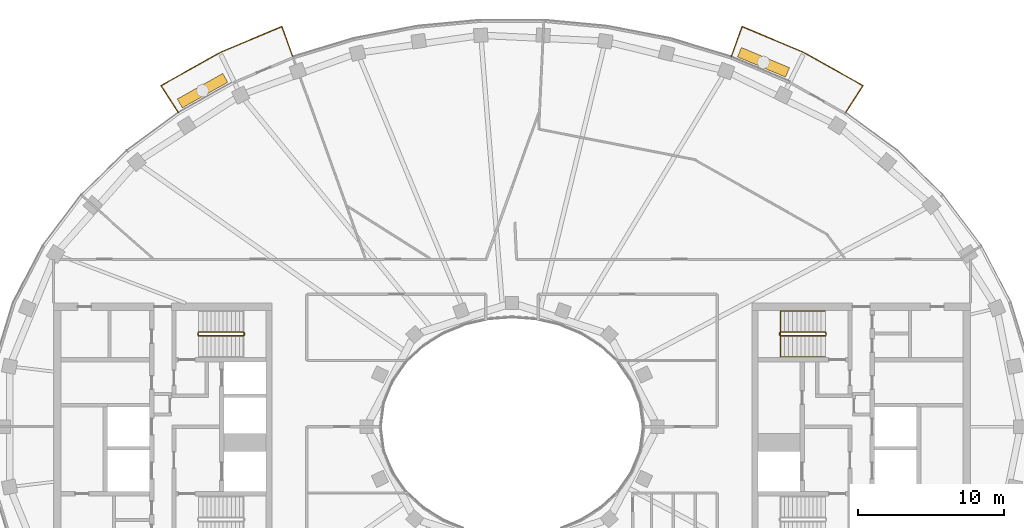
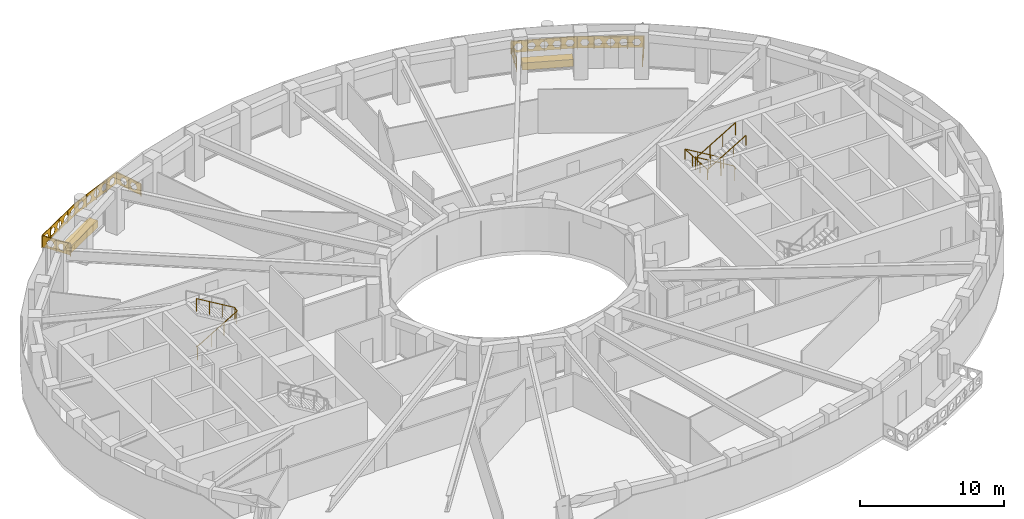
# One storey, part 14 of 15: 5 railings, 2 coverings.
"""IFC4 building model written with IfcOpenShell, lengths in metres."""

from ifc_helpers import new_model, si_unit, direction, frame, origin, origin_2d, place, context, subcontext, project, spatial, polyline, rectangle, outline, extrude, material, type_object, element, save


model = new_model("IFC4")

# Units and contexts
model_context = context("Model", 3, precision=1e-05, world=origin(), true_north=direction((0.0, 1.0)))
body_context = subcontext(model_context, "Body", "Model", "MODEL_VIEW")
ifc_project = project(units=[si_unit("LENGTHUNIT", "METRE"), si_unit("AREAUNIT", "SQUARE_METRE"), si_unit("VOLUMEUNIT", "CUBIC_METRE"), si_unit("PLANEANGLEUNIT", "RADIAN"), si_unit("MASSUNIT", "GRAM", prefix="KILO")], contexts=[model_context])

# Site, building, storey
site_placement = place(None, origin())
site = spatial("IfcSite", under=ifc_project, at=site_placement, CompositionType="ELEMENT")
building_placement = place(site_placement, origin())
building = spatial("IfcBuilding", under=site, at=building_placement, Name="Noorbagh Ring Tower", CompositionType="ELEMENT")
storey_placement = place(building_placement, frame((0.0, 0.0, 307.0)))
storey = spatial("IfcBuildingStorey", under=building, at=storey_placement, Name="L66", CompositionType="ELEMENT", Elevation=307.0)

# Railings
ifc_material_1 = material(Name="Stainless steel", Category="steel")
railing_type_1 = type_object("IfcRailingType", Name="CORE-STAIR-GUARD", PredefinedType="GUARDRAIL", material=ifc_material_1)
railing_1_placement = place(storey_placement, frame((-21.580078125, 6.300048828125, 0.0)))
element("IfcRailing", 1, at=railing_1_placement, inside=storey, type_object=railing_type_1, Name="L66 ST1 stair guard", PredefinedType="GUARDRAIL", context=body_context, shape_type="SweptSolid", body=[
    extrude(rectangle(XDim=0.048095703125, YDim=0.048095703125, at=origin_2d()), frame((0.0, 0.0, 1.076171875), z_axis=(0.0, 1.0, 0.0), x_axis=(-1.0, 0.0, 0.0)), (0.0, 0.0, 1.0), 0.14990234375),
    extrude(rectangle(XDim=0.048095703125, YDim=0.048095703125, at=origin_2d()), frame((0.0, 0.14990234375, 1.076171875), z_axis=(0.188775798145, -0.754182335027, 0.628945707965), x_axis=(0.970072785993, 0.242814311512, 0.0)), (0.0, 0.0, 1.0), 0.26513671875),
    extrude(rectangle(XDim=0.048095703125, YDim=0.048095703125, at=origin_2d()), frame((0.050048828125, -0.050048828125, 1.24267578125), z_axis=(0.859308565015, 0.0, 0.511457515432), x_axis=(0.0, 1.0, 0.0)), (0.0, 0.0, 1.0), 3.58447265625),
    extrude(rectangle(XDim=0.048095703125, YDim=0.048095703125, at=origin_2d()), frame((3.130126953125, -0.050048828125, 3.076171875), z_axis=(0.707106781187, 0.707106781187, 0.0), x_axis=(-0.707106781187, 0.707106781187, 0.0)), (0.0, 0.0, 1.0), 0.07080078125),
    extrude(rectangle(XDim=0.048095703125, YDim=0.048095703125, at=origin_2d()), frame((3.18017578125, 0.0, 3.076171875), z_axis=(0.0, 1.0, 0.0), x_axis=(-1.0, 0.0, 0.0)), (0.0, 0.0, 1.0), 0.14990234375),
    extrude(rectangle(XDim=0.048095703125, YDim=0.048095703125, at=origin_2d()), frame((3.18017578125, 0.14990234375, 3.076171875), z_axis=(-0.27628659633, 0.27628659633, 0.920506074601), x_axis=(-0.707106781187, -0.707106781187, 0.0)), (0.0, 0.0, 1.0), 0.18115234375),
    extrude(rectangle(XDim=0.048095703125, YDim=0.048095703125, at=origin_2d()), frame((3.130126953125, 0.199951171875, 3.24267578125), z_axis=(-0.859308565015, 0.0, 0.511457515432), x_axis=(0.0, -1.0, 0.0)), (0.0, 0.0, 1.0), 3.58447265625),
    extrude(rectangle(XDim=0.0419921875, YDim=0.0419921875, at=origin_2d()), origin(), (0.0, 0.0, 1.0), 1.052001953125),
    extrude(rectangle(XDim=0.0419921875, YDim=0.0419921875, at=origin_2d()), frame((1.07666015625, -0.050048828125, 0.77783203125)), (0.0, 0.0, 1.0), 1.052001953125),
    extrude(rectangle(XDim=0.0419921875, YDim=0.0419921875, at=origin_2d()), frame((2.103515625, -0.050048828125, 1.388916015625)), (0.0, 0.0, 1.0), 1.052001953125),
    extrude(rectangle(XDim=0.0419921875, YDim=0.0419921875, at=origin_2d()), frame((3.130126953125, -0.050048828125, 2.0)), (0.0, 0.0, 1.0), 1.052001953125),
    extrude(rectangle(XDim=0.0419921875, YDim=0.0419921875, at=origin_2d()), frame((3.130126953125, 0.199951171875, 2.166748046875)), (0.0, 0.0, 1.0), 1.052001953125),
    extrude(rectangle(XDim=0.0419921875, YDim=0.0419921875, at=origin_2d()), frame((2.103515625, 0.199951171875, 2.77783203125)), (0.0, 0.0, 1.0), 1.052001953125),
    extrude(rectangle(XDim=0.0419921875, YDim=0.0419921875, at=origin_2d()), frame((1.07666015625, 0.199951171875, 3.388916015625)), (0.0, 0.0, 1.0), 1.052001953125),
    extrude(rectangle(XDim=0.0419921875, YDim=0.0419921875, at=origin_2d()), frame((0.050048828125, 0.199951171875, 4.0)), (0.0, 0.0, 1.0), 1.052001953125),
])
railing_2_placement = place(storey_placement, frame((21.580078125, 6.449951171875, 0.0)))
element("IfcRailing", 2, at=railing_2_placement, inside=storey, type_object=railing_type_1, Name="L66 ST3 stair guard", PredefinedType="GUARDRAIL", context=body_context, shape_type="SweptSolid", body=[
    extrude(rectangle(XDim=0.048095703125, YDim=0.048095703125, at=origin_2d()), frame((0.0, 0.0, 1.076171875), z_axis=(0.0, -1.0, 0.0), x_axis=(1.0, 0.0, 0.0)), (0.0, 0.0, 1.0), 0.14990234375),
    extrude(rectangle(XDim=0.048095703125, YDim=0.048095703125, at=origin_2d()), frame((0.0, -0.14990234375, 1.076171875), z_axis=(-0.188775798145, 0.754182335027, 0.628945707965), x_axis=(-0.970072785993, -0.242814311512, 0.0)), (0.0, 0.0, 1.0), 0.26513671875),
    extrude(rectangle(XDim=0.048095703125, YDim=0.048095703125, at=origin_2d()), frame((-0.050048828125, 0.050048828125, 1.24267578125), z_axis=(-0.859308565015, 0.0, 0.511457515432), x_axis=(0.0, -1.0, 0.0)), (0.0, 0.0, 1.0), 3.58447265625),
    extrude(rectangle(XDim=0.048095703125, YDim=0.048095703125, at=origin_2d()), frame((-3.130126953125, 0.050048828125, 3.076171875), z_axis=(-0.707106781187, -0.707106781187, 0.0), x_axis=(0.707106781187, -0.707106781187, 0.0)), (0.0, 0.0, 1.0), 0.07080078125),
    extrude(rectangle(XDim=0.048095703125, YDim=0.048095703125, at=origin_2d()), frame((-3.18017578125, 0.0, 3.076171875), z_axis=(0.0, -1.0, 0.0), x_axis=(1.0, 0.0, 0.0)), (0.0, 0.0, 1.0), 0.14990234375),
    extrude(rectangle(XDim=0.048095703125, YDim=0.048095703125, at=origin_2d()), frame((-3.18017578125, -0.14990234375, 3.076171875), z_axis=(0.27628659633, -0.27628659633, 0.920506074601), x_axis=(0.707106781187, 0.707106781187, 0.0)), (0.0, 0.0, 1.0), 0.18115234375),
    extrude(rectangle(XDim=0.048095703125, YDim=0.048095703125, at=origin_2d()), frame((-3.130126953125, -0.199951171875, 3.24267578125), z_axis=(0.859308565015, 0.0, 0.511457515432), x_axis=(0.0, 1.0, 0.0)), (0.0, 0.0, 1.0), 3.58447265625),
    extrude(rectangle(XDim=0.0419921875, YDim=0.0419921875, at=origin_2d()), origin(), (0.0, 0.0, 1.0), 1.052001953125),
    extrude(rectangle(XDim=0.0419921875, YDim=0.0419921875, at=origin_2d()), frame((-1.07666015625, 0.050048828125, 0.77783203125)), (0.0, 0.0, 1.0), 1.052001953125),
    extrude(rectangle(XDim=0.0419921875, YDim=0.0419921875, at=origin_2d()), frame((-2.103515625, 0.050048828125, 1.388916015625)), (0.0, 0.0, 1.0), 1.052001953125),
    extrude(rectangle(XDim=0.0419921875, YDim=0.0419921875, at=origin_2d()), frame((-3.130126953125, 0.050048828125, 2.0)), (0.0, 0.0, 1.0), 1.052001953125),
    extrude(rectangle(XDim=0.0419921875, YDim=0.0419921875, at=origin_2d()), frame((-3.130126953125, -0.199951171875, 2.166748046875)), (0.0, 0.0, 1.0), 1.052001953125),
    extrude(rectangle(XDim=0.0419921875, YDim=0.0419921875, at=origin_2d()), frame((-2.103515625, -0.199951171875, 2.77783203125)), (0.0, 0.0, 1.0), 1.052001953125),
    extrude(rectangle(XDim=0.0419921875, YDim=0.0419921875, at=origin_2d()), frame((-1.07666015625, -0.199951171875, 3.388916015625)), (0.0, 0.0, 1.0), 1.052001953125),
    extrude(rectangle(XDim=0.0419921875, YDim=0.0419921875, at=origin_2d()), frame((-0.050048828125, -0.199951171875, 4.0)), (0.0, 0.0, 1.0), 1.052001953125),
])
ifc_material_2 = material(Name="Stainless steel", Category="steel")
railing_type_2 = type_object("IfcRailingType", Name="CORE-STAIR-HANDRAIL", PredefinedType="HANDRAIL", material=ifc_material_2)
railing_3_placement = place(storey_placement, frame((21.530029296875, 7.949951171875, 0.166748046875)))
element("IfcRailing", 3, at=railing_3_placement, inside=storey, type_object=railing_type_2, Name="L66 ST3 stair handrail", PredefinedType="HANDRAIL", context=body_context, shape_type="SweptSolid", body=[
    extrude(rectangle(XDim=0.048095703125, YDim=0.048095703125, at=origin_2d()), frame((0.0, 0.0, 0.8759765625), z_axis=(-0.859308565015, 0.0, 0.511457515432), x_axis=(0.0, -1.0, 0.0)), (0.0, 0.0, 1.0), 3.58447265625),
    extrude(rectangle(XDim=0.048095703125, YDim=0.048095703125, at=origin_2d()), frame((-3.080078125, 0.0, 2.708984375), z_axis=(0.0, -0.998601747152, 0.052863509014), x_axis=(1.0, 0.0, 0.0)), (0.0, 0.0, 1.0), 3.154296875),
    extrude(rectangle(XDim=0.048095703125, YDim=0.048095703125, at=origin_2d()), frame((-3.080078125, -3.14990234375, 2.8759765625), z_axis=(0.859308565015, 0.0, 0.511457515432), x_axis=(0.0, 1.0, 0.0)), (0.0, 0.0, 1.0), 3.58447265625),
    extrude(rectangle(XDim=0.0419921875, YDim=0.0419921875, at=origin_2d()), origin(), (0.0, 0.0, 1.0), 0.851806640625),
    extrude(rectangle(XDim=0.0419921875, YDim=0.0419921875, at=origin_2d()), frame((-1.026611328125, 0.0, 0.611083984375)), (0.0, 0.0, 1.0), 0.851806640625),
    extrude(rectangle(XDim=0.0419921875, YDim=0.0419921875, at=origin_2d()), frame((-2.053466796875, 0.0, 1.22216796875)), (0.0, 0.0, 1.0), 0.851806640625),
    extrude(rectangle(XDim=0.0419921875, YDim=0.0419921875, at=origin_2d()), frame((-3.080078125, 0.0, 1.833251953125)), (0.0, 0.0, 1.0), 0.851806640625),
    extrude(rectangle(XDim=0.0419921875, YDim=0.0419921875, at=origin_2d()), frame((-3.080078125, -1.050048828125, 1.888916015625)), (0.0, 0.0, 1.0), 0.851806640625),
    extrude(rectangle(XDim=0.0419921875, YDim=0.0419921875, at=origin_2d()), frame((-3.080078125, -2.099853515625, 1.9443359375)), (0.0, 0.0, 1.0), 0.851806640625),
    extrude(rectangle(XDim=0.0419921875, YDim=0.0419921875, at=origin_2d()), frame((-3.080078125, -3.14990234375, 2.0)), (0.0, 0.0, 1.0), 0.851806640625),
    extrude(rectangle(XDim=0.0419921875, YDim=0.0419921875, at=origin_2d()), frame((-2.053466796875, -3.14990234375, 2.611083984375)), (0.0, 0.0, 1.0), 0.851806640625),
    extrude(rectangle(XDim=0.0419921875, YDim=0.0419921875, at=origin_2d()), frame((-1.026611328125, -3.14990234375, 3.22216796875)), (0.0, 0.0, 1.0), 0.851806640625),
    extrude(rectangle(XDim=0.0419921875, YDim=0.0419921875, at=origin_2d()), frame((0.0, -3.14990234375, 3.833251953125)), (0.0, 0.0, 1.0), 0.851806640625),
])
ifc_material_3 = material(Name="Steel S275 black powder-coated", Category="steel")
railing_type_3 = type_object("IfcRailingType", Name="ENV-GUARD", PredefinedType="GUARDRAIL", material=ifc_material_3)
railing_4_placement = place(storey_placement, frame((22.9326171875, 21.583740234375, 0.0)))
element("IfcRailing", 4, at=railing_4_placement, inside=storey, type_object=railing_type_3, Name="Balcony guard BN02", PredefinedType="GUARDRAIL", context=body_context, shape_type="SweptSolid", body=[
    extrude(rectangle(XDim=0.048095703125, YDim=0.048095703125, at=origin_2d()), frame((0.0, 0.0, 1.076171875), z_axis=(0.542268136821, 0.840205491406, 0.0), x_axis=(-0.840205491406, 0.542268136821, 0.0)), (0.0, 0.0, 1.0), 2.204345703125),
    extrude(rectangle(XDim=0.048095703125, YDim=0.048095703125, at=origin_2d()), frame((1.1953125, 1.85205078125, 1.076171875), z_axis=(-0.872052247658, 0.489412788303, 0.0), x_axis=(-0.489412788303, -0.872052247658, 0.0)), (0.0, 0.0, 1.0), 4.646240234375),
    extrude(rectangle(XDim=0.048095703125, YDim=0.048095703125, at=origin_2d()), frame((-2.8564453125, 4.1259765625, 1.076171875), z_axis=(-0.921809087722, 0.387644174203, 0.0), x_axis=(-0.387644174203, -0.921809087722, 0.0)), (0.0, 0.0, 1.0), 4.627197265625),
    extrude(rectangle(XDim=0.048095703125, YDim=0.048095703125, at=origin_2d()), frame((-7.121826171875, 5.919677734375, 1.076171875), z_axis=(-0.338350546839, -0.941020141896, 0.0), x_axis=(0.941020141896, -0.338350546839, 0.0)), (0.0, 0.0, 1.0), 2.202880859375),
    extrude(rectangle(XDim=0.0419921875, YDim=0.0419921875, at=origin_2d()), origin(), (0.0, 0.0, 1.0), 1.052001953125),
    extrude(rectangle(XDim=0.0419921875, YDim=0.0419921875, at=origin_2d()), frame((0.59765625, 0.926025390625, 0.0)), (0.0, 0.0, 1.0), 1.052001953125),
    extrude(rectangle(XDim=0.0419921875, YDim=0.0419921875, at=origin_2d()), frame((1.1953125, 1.85205078125, 0.0)), (0.0, 0.0, 1.0), 1.052001953125),
    extrude(rectangle(XDim=0.0419921875, YDim=0.0419921875, at=origin_2d()), frame((0.182373046875, 2.42041015625, 0.0)), (0.0, 0.0, 1.0), 1.052001953125),
    extrude(rectangle(XDim=0.0419921875, YDim=0.0419921875, at=origin_2d()), frame((-0.83056640625, 2.989013671875, 0.0)), (0.0, 0.0, 1.0), 1.052001953125),
    extrude(rectangle(XDim=0.0419921875, YDim=0.0419921875, at=origin_2d()), frame((-1.843505859375, 3.5576171875, 0.0)), (0.0, 0.0, 1.0), 1.052001953125),
    extrude(rectangle(XDim=0.0419921875, YDim=0.0419921875, at=origin_2d()), frame((-2.8564453125, 4.1259765625, 0.0)), (0.0, 0.0, 1.0), 1.052001953125),
    extrude(rectangle(XDim=0.0419921875, YDim=0.0419921875, at=origin_2d()), frame((-3.9228515625, 4.574462890625, 0.0)), (0.0, 0.0, 1.0), 1.052001953125),
    extrude(rectangle(XDim=0.0419921875, YDim=0.0419921875, at=origin_2d()), frame((-4.9892578125, 5.02294921875, 0.0)), (0.0, 0.0, 1.0), 1.052001953125),
    extrude(rectangle(XDim=0.0419921875, YDim=0.0419921875, at=origin_2d()), frame((-6.055419921875, 5.47119140625, 0.0)), (0.0, 0.0, 1.0), 1.052001953125),
    extrude(rectangle(XDim=0.0419921875, YDim=0.0419921875, at=origin_2d()), frame((-7.121826171875, 5.919677734375, 0.0)), (0.0, 0.0, 1.0), 1.052001953125),
    extrude(rectangle(XDim=0.0419921875, YDim=0.0419921875, at=origin_2d()), frame((-7.49462890625, 4.88330078125, 0.0)), (0.0, 0.0, 1.0), 1.052001953125),
    extrude(rectangle(XDim=0.0419921875, YDim=0.0419921875, at=origin_2d()), frame((-7.8671875, 3.8466796875, 0.0)), (0.0, 0.0, 1.0), 1.052001953125),
    extrude(outline(polyline([(0.0, 0.10009765625), (2.204345703125, 0.10009765625), (2.204345703125, 1.031982421875), (0.0, 1.031982421875), (0.0, 0.10009765625)]), holes=[polyline([(0.962158203125, 0.56591796875), (0.80712890625, 0.83447265625), (0.4970703125, 0.83447265625), (0.342041015625, 0.56591796875), (0.4970703125, 0.297607421875), (0.80712890625, 0.297607421875), (0.962158203125, 0.56591796875)]), polyline([(1.862060546875, 0.56591796875), (1.70703125, 0.83447265625), (1.397216796875, 0.83447265625), (1.2421875, 0.56591796875), (1.397216796875, 0.297607421875), (1.70703125, 0.297607421875), (1.862060546875, 0.56591796875)])]), frame((-0.00830078125, 0.00537109375, 0.0), z_axis=(0.840205491406, -0.542268136821, 0.0), x_axis=(0.542268136821, 0.840205491406, 0.0)), (0.0, 0.0, 1.0), 0.02001953125),
    extrude(outline(polyline([(0.0, 0.10009765625), (4.646240234375, 0.10009765625), (4.646240234375, 1.031982421875), (0.0, 1.031982421875), (0.0, 0.10009765625)]), holes=[polyline([(0.8330078125, 0.56591796875), (0.67822265625, 0.83447265625), (0.3681640625, 0.83447265625), (0.213134765625, 0.56591796875), (0.3681640625, 0.297607421875), (0.67822265625, 0.297607421875), (0.8330078125, 0.56591796875)]), polyline([(1.733154296875, 0.56591796875), (1.578125, 0.83447265625), (1.26806640625, 0.83447265625), (1.113037109375, 0.56591796875), (1.26806640625, 0.297607421875), (1.578125, 0.297607421875), (1.733154296875, 0.56591796875)]), polyline([(2.633056640625, 0.56591796875), (2.47802734375, 0.83447265625), (2.168212890625, 0.83447265625), (2.01318359375, 0.56591796875), (2.168212890625, 0.297607421875), (2.47802734375, 0.297607421875), (2.633056640625, 0.56591796875)]), polyline([(3.533203125, 0.56591796875), (3.378173828125, 0.83447265625), (3.068115234375, 0.83447265625), (2.9130859375, 0.56591796875), (3.068115234375, 0.297607421875), (3.378173828125, 0.297607421875), (3.533203125, 0.56591796875)]), polyline([(4.43310546875, 0.56591796875), (4.278076171875, 0.83447265625), (3.968017578125, 0.83447265625), (3.813232421875, 0.56591796875), (3.968017578125, 0.297607421875), (4.278076171875, 0.297607421875), (4.43310546875, 0.56591796875)])]), frame((1.1904296875, 1.84326171875, 0.0), z_axis=(0.489412788303, 0.872052247658, 0.0), x_axis=(-0.872052247658, 0.489412788303, 0.0)), (0.0, 0.0, 1.0), 0.02001953125),
    extrude(outline(polyline([(0.0, 0.10009765625), (4.627197265625, 0.10009765625), (4.627197265625, 1.031982421875), (0.0, 1.031982421875), (0.0, 0.10009765625)]), holes=[polyline([(0.823486328125, 0.56591796875), (0.668701171875, 0.83447265625), (0.358642578125, 0.83447265625), (0.20361328125, 0.56591796875), (0.358642578125, 0.297607421875), (0.668701171875, 0.297607421875), (0.823486328125, 0.56591796875)]), polyline([(1.7236328125, 0.56591796875), (1.568603515625, 0.83447265625), (1.258544921875, 0.83447265625), (1.103515625, 0.56591796875), (1.258544921875, 0.297607421875), (1.568603515625, 0.297607421875), (1.7236328125, 0.56591796875)]), polyline([(2.62353515625, 0.56591796875), (2.468505859375, 0.83447265625), (2.15869140625, 0.83447265625), (2.003662109375, 0.56591796875), (2.15869140625, 0.297607421875), (2.468505859375, 0.297607421875), (2.62353515625, 0.56591796875)]), polyline([(3.523681640625, 0.56591796875), (3.36865234375, 0.83447265625), (3.05859375, 0.83447265625), (2.903564453125, 0.56591796875), (3.05859375, 0.297607421875), (3.36865234375, 0.297607421875), (3.523681640625, 0.56591796875)]), polyline([(4.423583984375, 0.56591796875), (4.2685546875, 0.83447265625), (3.95849609375, 0.83447265625), (3.8037109375, 0.56591796875), (3.95849609375, 0.297607421875), (4.2685546875, 0.297607421875), (4.423583984375, 0.56591796875)])]), frame((-2.8603515625, 4.11669921875, 0.0), z_axis=(0.387644174203, 0.921809087722, 0.0), x_axis=(-0.921809087722, 0.387644174203, 0.0)), (0.0, 0.0, 1.0), 0.02001953125),
    extrude(outline(polyline([(0.0, 0.10009765625), (2.202880859375, 0.10009765625), (2.202880859375, 1.031982421875), (0.0, 1.031982421875), (0.0, 0.10009765625)]), holes=[polyline([(0.96142578125, 0.56591796875), (0.806396484375, 0.83447265625), (0.49658203125, 0.83447265625), (0.341552734375, 0.56591796875), (0.49658203125, 0.297607421875), (0.806396484375, 0.297607421875), (0.96142578125, 0.56591796875)]), polyline([(1.861572265625, 0.56591796875), (1.70654296875, 0.83447265625), (1.396484375, 0.83447265625), (1.241455078125, 0.56591796875), (1.396484375, 0.297607421875), (1.70654296875, 0.297607421875), (1.861572265625, 0.56591796875)])]), frame((-7.1123046875, 5.916259765625, 0.0), z_axis=(-0.941020141896, 0.338350546839, 0.0), x_axis=(-0.338350546839, -0.941020141896, 0.0)), (0.0, 0.0, 1.0), 0.02001953125),
])
railing_5_placement = place(storey_placement, frame((-15.0654296875, 25.430419921875, 0.0)))
element("IfcRailing", 5, at=railing_5_placement, inside=storey, type_object=railing_type_3, Name="Balcony guard BN05", PredefinedType="GUARDRAIL", context=body_context, shape_type="SweptSolid", body=[
    extrude(rectangle(XDim=0.048095703125, YDim=0.048095703125, at=origin_2d()), frame((0.0, 0.0, 1.076171875), z_axis=(-0.338350546839, 0.941020141896, 0.0), x_axis=(-0.941020141896, -0.338350546839, 0.0)), (0.0, 0.0, 1.0), 2.202880859375),
    extrude(rectangle(XDim=0.048095703125, YDim=0.048095703125, at=origin_2d()), frame((-0.745361328125, 2.072998046875, 1.076171875), z_axis=(-0.921809087722, -0.387644174203, 0.0), x_axis=(0.387644174203, -0.921809087722, 0.0)), (0.0, 0.0, 1.0), 4.627197265625),
    extrude(rectangle(XDim=0.048095703125, YDim=0.048095703125, at=origin_2d()), frame((-5.0107421875, 0.279296875, 1.076171875), z_axis=(-0.872052247658, -0.489412788303, 0.0), x_axis=(0.489412788303, -0.872052247658, 0.0)), (0.0, 0.0, 1.0), 4.646240234375),
    extrude(rectangle(XDim=0.048095703125, YDim=0.048095703125, at=origin_2d()), frame((-9.0625, -1.99462890625, 1.076171875), z_axis=(0.542268136821, -0.840205491406, 0.0), x_axis=(0.840205491406, 0.542268136821, 0.0)), (0.0, 0.0, 1.0), 2.204345703125),
    extrude(rectangle(XDim=0.0419921875, YDim=0.0419921875, at=origin_2d()), origin(), (0.0, 0.0, 1.0), 1.052001953125),
    extrude(rectangle(XDim=0.0419921875, YDim=0.0419921875, at=origin_2d()), frame((-0.37255859375, 1.03662109375, 0.0)), (0.0, 0.0, 1.0), 1.052001953125),
    extrude(rectangle(XDim=0.0419921875, YDim=0.0419921875, at=origin_2d()), frame((-0.745361328125, 2.072998046875, 0.0)), (0.0, 0.0, 1.0), 1.052001953125),
    extrude(rectangle(XDim=0.0419921875, YDim=0.0419921875, at=origin_2d()), frame((-1.811767578125, 1.62451171875, 0.0)), (0.0, 0.0, 1.0), 1.052001953125),
    extrude(rectangle(XDim=0.0419921875, YDim=0.0419921875, at=origin_2d()), frame((-2.8779296875, 1.17626953125, 0.0)), (0.0, 0.0, 1.0), 1.052001953125),
    extrude(rectangle(XDim=0.0419921875, YDim=0.0419921875, at=origin_2d()), frame((-3.9443359375, 0.727783203125, 0.0)), (0.0, 0.0, 1.0), 1.052001953125),
    extrude(rectangle(XDim=0.0419921875, YDim=0.0419921875, at=origin_2d()), frame((-5.0107421875, 0.279296875, 0.0)), (0.0, 0.0, 1.0), 1.052001953125),
    extrude(rectangle(XDim=0.0419921875, YDim=0.0419921875, at=origin_2d()), frame((-6.023681640625, -0.2890625, 0.0)), (0.0, 0.0, 1.0), 1.052001953125),
    extrude(rectangle(XDim=0.0419921875, YDim=0.0419921875, at=origin_2d()), frame((-7.03662109375, -0.857666015625, 0.0)), (0.0, 0.0, 1.0), 1.052001953125),
    extrude(rectangle(XDim=0.0419921875, YDim=0.0419921875, at=origin_2d()), frame((-8.049560546875, -1.42626953125, 0.0)), (0.0, 0.0, 1.0), 1.052001953125),
    extrude(rectangle(XDim=0.0419921875, YDim=0.0419921875, at=origin_2d()), frame((-9.0625, -1.99462890625, 0.0)), (0.0, 0.0, 1.0), 1.052001953125),
    extrude(rectangle(XDim=0.0419921875, YDim=0.0419921875, at=origin_2d()), frame((-8.46484375, -2.920654296875, 0.0)), (0.0, 0.0, 1.0), 1.052001953125),
    extrude(rectangle(XDim=0.0419921875, YDim=0.0419921875, at=origin_2d()), frame((-7.8671875, -3.8466796875, 0.0)), (0.0, 0.0, 1.0), 1.052001953125),
    extrude(outline(polyline([(0.0, 0.10009765625), (2.202880859375, 0.10009765625), (2.202880859375, 1.031982421875), (0.0, 1.031982421875), (0.0, 0.10009765625)]), holes=[polyline([(0.96142578125, 0.56591796875), (0.806396484375, 0.83447265625), (0.49658203125, 0.83447265625), (0.341552734375, 0.56591796875), (0.49658203125, 0.297607421875), (0.806396484375, 0.297607421875), (0.96142578125, 0.56591796875)]), polyline([(1.861572265625, 0.56591796875), (1.70654296875, 0.83447265625), (1.396484375, 0.83447265625), (1.241455078125, 0.56591796875), (1.396484375, 0.297607421875), (1.70654296875, 0.297607421875), (1.861572265625, 0.56591796875)])]), frame((-0.009521484375, -0.00341796875, 0.0), z_axis=(0.941020141896, 0.338350546839, 0.0), x_axis=(-0.338350546839, 0.941020141896, 0.0)), (0.0, 0.0, 1.0), 0.02001953125),
    extrude(outline(polyline([(0.0, 0.10009765625), (4.627197265625, 0.10009765625), (4.627197265625, 1.031982421875), (0.0, 1.031982421875), (0.0, 0.10009765625)]), holes=[polyline([(0.823486328125, 0.56591796875), (0.668701171875, 0.83447265625), (0.358642578125, 0.83447265625), (0.20361328125, 0.56591796875), (0.358642578125, 0.297607421875), (0.668701171875, 0.297607421875), (0.823486328125, 0.56591796875)]), polyline([(1.7236328125, 0.56591796875), (1.568603515625, 0.83447265625), (1.258544921875, 0.83447265625), (1.103515625, 0.56591796875), (1.258544921875, 0.297607421875), (1.568603515625, 0.297607421875), (1.7236328125, 0.56591796875)]), polyline([(2.62353515625, 0.56591796875), (2.468505859375, 0.83447265625), (2.15869140625, 0.83447265625), (2.003662109375, 0.56591796875), (2.15869140625, 0.297607421875), (2.468505859375, 0.297607421875), (2.62353515625, 0.56591796875)]), polyline([(3.523681640625, 0.56591796875), (3.36865234375, 0.83447265625), (3.05859375, 0.83447265625), (2.903564453125, 0.56591796875), (3.05859375, 0.297607421875), (3.36865234375, 0.297607421875), (3.523681640625, 0.56591796875)]), polyline([(4.423583984375, 0.56591796875), (4.2685546875, 0.83447265625), (3.95849609375, 0.83447265625), (3.8037109375, 0.56591796875), (3.95849609375, 0.297607421875), (4.2685546875, 0.297607421875), (4.423583984375, 0.56591796875)])]), frame((-0.741455078125, 2.063720703125, 0.0), z_axis=(-0.387644174203, 0.921809087722, 0.0), x_axis=(-0.921809087722, -0.387644174203, 0.0)), (0.0, 0.0, 1.0), 0.02001953125),
    extrude(outline(polyline([(0.0, 0.10009765625), (4.646240234375, 0.10009765625), (4.646240234375, 1.031982421875), (0.0, 1.031982421875), (0.0, 0.10009765625)]), holes=[polyline([(0.8330078125, 0.56591796875), (0.67822265625, 0.83447265625), (0.3681640625, 0.83447265625), (0.213134765625, 0.56591796875), (0.3681640625, 0.297607421875), (0.67822265625, 0.297607421875), (0.8330078125, 0.56591796875)]), polyline([(1.733154296875, 0.56591796875), (1.578125, 0.83447265625), (1.26806640625, 0.83447265625), (1.113037109375, 0.56591796875), (1.26806640625, 0.297607421875), (1.578125, 0.297607421875), (1.733154296875, 0.56591796875)]), polyline([(2.633056640625, 0.56591796875), (2.47802734375, 0.83447265625), (2.168212890625, 0.83447265625), (2.01318359375, 0.56591796875), (2.168212890625, 0.297607421875), (2.47802734375, 0.297607421875), (2.633056640625, 0.56591796875)]), polyline([(3.533203125, 0.56591796875), (3.378173828125, 0.83447265625), (3.068115234375, 0.83447265625), (2.9130859375, 0.56591796875), (3.068115234375, 0.297607421875), (3.378173828125, 0.297607421875), (3.533203125, 0.56591796875)]), polyline([(4.43310546875, 0.56591796875), (4.278076171875, 0.83447265625), (3.968017578125, 0.83447265625), (3.813232421875, 0.56591796875), (3.968017578125, 0.297607421875), (4.278076171875, 0.297607421875), (4.43310546875, 0.56591796875)])]), frame((-5.005859375, 0.2705078125, 0.0), z_axis=(-0.489412788303, 0.872052247658, 0.0), x_axis=(-0.872052247658, -0.489412788303, 0.0)), (0.0, 0.0, 1.0), 0.02001953125),
    extrude(outline(polyline([(0.0, 0.10009765625), (2.204345703125, 0.10009765625), (2.204345703125, 1.031982421875), (0.0, 1.031982421875), (0.0, 0.10009765625)]), holes=[polyline([(0.962158203125, 0.56591796875), (0.80712890625, 0.83447265625), (0.4970703125, 0.83447265625), (0.342041015625, 0.56591796875), (0.4970703125, 0.297607421875), (0.80712890625, 0.297607421875), (0.962158203125, 0.56591796875)]), polyline([(1.862060546875, 0.56591796875), (1.70703125, 0.83447265625), (1.397216796875, 0.83447265625), (1.2421875, 0.56591796875), (1.397216796875, 0.297607421875), (1.70703125, 0.297607421875), (1.862060546875, 0.56591796875)])]), frame((-9.05419921875, -1.9892578125, 0.0), z_axis=(-0.840205491406, -0.542268136821, 0.0), x_axis=(0.542268136821, -0.840205491406, 0.0)), (0.0, 0.0, 1.0), 0.02001953125),
])

# Coverings
ifc_material_4 = material(Name="Concrete C30/37 planter with soil", Category="concrete")
covering_type = type_object("IfcCoveringType", Name="ENV-PLANTER", PredefinedType="CLADDING", material=ifc_material_4)
covering_1_placement = place(storey_placement, frame((17.280517578125, 25.041259765625, 0.0), z_axis=(0.0, 0.0, 1.0), x_axis=(-0.921811566494, 0.387638279686, 0.0)))
element("IfcCovering", 6, at=covering_1_placement, inside=storey, type_object=covering_type, Name="PLANTER BN02", ObjectType="PLANTER", PredefinedType="CLADDING", context=body_context, shape_type="SweptSolid", body=[
    extrude(rectangle(XDim=3.5859375, YDim=0.699951171875, at=origin_2d()), origin(), (0.0, 0.0, 1.0), 0.60009765625),
])
covering_2_placement = place(storey_placement, frame((-21.26513671875, 23.093017578125, 0.0), z_axis=(0.0, 0.0, 1.0), x_axis=(-0.872044586249, -0.48942643941, 0.0)))
element("IfcCovering", 7, at=covering_2_placement, inside=storey, type_object=covering_type, Name="PLANTER BN05", ObjectType="PLANTER", PredefinedType="CLADDING", context=body_context, shape_type="SweptSolid", body=[
    extrude(rectangle(XDim=3.58544921875, YDim=0.699951171875, at=origin_2d()), origin(), (0.0, 0.0, 1.0), 0.60009765625),
])

save(model, "model.ifc")
